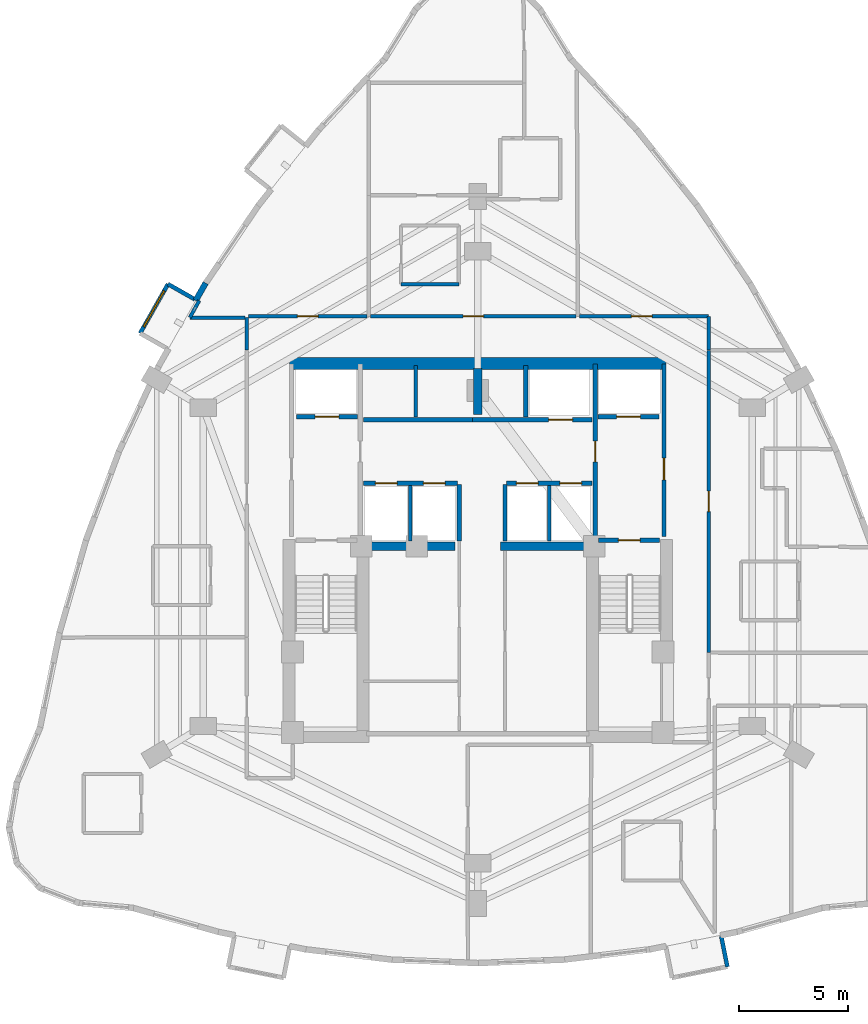
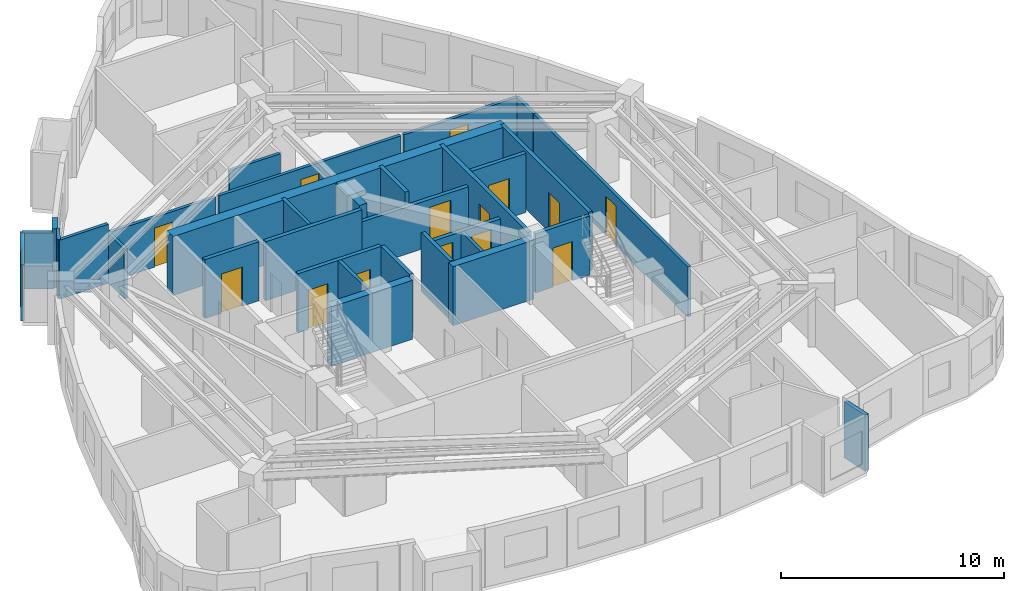
# One storey, part 8 of 12: 32 walls, 14 doors, 1 window, 15 openings.
"""IFC4 building model written with IfcOpenShell, lengths in metres."""

from ifc_helpers import new_model, si_unit, direction, frame, frame_2d, origin, place, context, subcontext, project, spatial, rectangle, extrude, material, layer, layer_set, type_object, element, fill, save


model = new_model("IFC4")

# Units and contexts
model_context = context("Model", 3, precision=1e-05, world=origin(), true_north=direction((0.0, 1.0)))
body_context = subcontext(model_context, "Body", "Model", "MODEL_VIEW")
ifc_project = project(units=[si_unit("LENGTHUNIT", "METRE"), si_unit("AREAUNIT", "SQUARE_METRE"), si_unit("VOLUMEUNIT", "CUBIC_METRE"), si_unit("PLANEANGLEUNIT", "RADIAN"), si_unit("MASSUNIT", "GRAM", prefix="KILO")], contexts=[model_context])

# Site, building, storey
site_placement = place(None, origin())
site = spatial("IfcSite", under=ifc_project, at=site_placement, CompositionType="ELEMENT")
building_placement = place(site_placement, origin())
building = spatial("IfcBuilding", under=site, at=building_placement, Name="Miruveldt Soraemaru", CompositionType="ELEMENT")
storey_placement = place(building_placement, frame((0.0, 0.0, 145.89990234375)))
storey = spatial("IfcBuildingStorey", under=building, at=storey_placement, Name="L40", CompositionType="ELEMENT", Elevation=145.89990234375)

# Wall
ifc_material_1 = material(Name="White powder-coated aluminium EN AW-6060 T6", Category="aluminium")
ifc_layer_1 = layer(ifc_material_1, 0.18994140625, Name="White powder-coated aluminium EN AW-6060 T6", Category="aluminium")
ifc_layer_set_1 = layer_set([ifc_layer_1], Name="White powder-coated aluminium EN AW-6060 T6")
wall_type_1 = type_object("IfcWallType", Name="WALL-BAY-ALU190", PredefinedType="SOLIDWALL", material=ifc_layer_set_1)
wall_1_placement = place(storey_placement, frame((31.01953125, 55.3828125, 0.0), z_axis=(0.0, 0.0, 1.0), x_axis=(-0.869872713252, 0.493276253979, 0.0)))
element("IfcWall", 1, at=wall_1_placement, inside=storey, type_object=wall_type_1, Name="L40 Bay Window Side Cheek 1L", PredefinedType="SOLIDWALL", context=body_context, shape_type="SweptSolid", body=[
    extrude(rectangle(XDim=1.4248046875, YDim=0.18994140625, at=frame_2d((0.71240234375, 0.0))), origin(), (0.0, 0.0, 1.0), 3.085205078125),
])

# Wall, opening, window
wall_2_placement = place(storey_placement, frame((29.780029296875, 56.085693359375, 0.0), z_axis=(0.0, 0.0, 1.0), x_axis=(-0.493365555553, -0.869822067203, 0.0)))
wall_2 = element("IfcWall", 2, at=wall_2_placement, inside=storey, type_object=wall_type_1, Name="L40 Bay Window Front Frame 1", PredefinedType="SOLIDWALL", context=body_context, shape_type="SweptSolid", body=[
    extrude(rectangle(XDim=2.599853515625, YDim=0.18994140625, at=frame_2d((1.2998046875, 0.0))), origin(), (0.0, 0.0, 1.0), 3.085205078125),
])
opening_1_placement = place(wall_2_placement, frame((0.35009765625, 0.0, 0.550048828125)))
opening_1 = element("IfcOpeningElement", 3, at=opening_1_placement, cuts=wall_2, Name="Opening WN-6", PredefinedType="OPENING", context=body_context, shape_type="SweptSolid", body=[
    extrude(rectangle(XDim=1.89990234375, YDim=1.85009765625, at=frame_2d((0.949951171875, 0.925048828125))), frame((0.0, 0.10498046875, 0.0), z_axis=(0.0, -1.0, 0.0), x_axis=(1.0, 0.0, 0.0)), (0.0, 0.0, 1.0), 0.2099609375),
])
ifc_material_2 = material(Name="Triple low-e insulated glazing", Category="glass")
window_type = type_object("IfcWindowType", Name="WIN-BAYW-1900x1850", PartitioningType="SINGLE_PANEL", PredefinedType="WINDOW", material=ifc_material_2)
window_placement = place(opening_1_placement, origin())
window = element("IfcWindow", 4, at=window_placement, inside=storey, type_object=window_type, Name="L40 Projecting Bay Window 1", OverallHeight=1.85009765625, OverallWidth=1.89990234375, PartitioningType="SINGLE_PANEL", PredefinedType="WINDOW", context=body_context, shape_type="SweptSolid", body=[
    extrude(rectangle(XDim=1.89990234375, YDim=1.85009765625, at=frame_2d((0.949951171875, 0.925048828125))), frame((0.0, 0.030029296875, 0.0), z_axis=(0.0, -1.0, 0.0), x_axis=(1.0, 0.0, 0.0)), (0.0, 0.0, 1.0), 0.06005859375),
])
fill(opening_1, window)

# Walls
wall_3_placement = place(storey_placement, frame((55.4609375, 24.743408203125, 0.0), z_axis=(0.0, 0.0, 1.0), x_axis=(-0.196182033934, 0.980567493629, 0.0)))
element("IfcWall", 5, at=wall_3_placement, inside=storey, type_object=wall_type_1, Name="L40 Bay Window Side Cheek 3R", PredefinedType="SOLIDWALL", context=body_context, shape_type="SweptSolid", body=[
    extrude(rectangle(XDim=1.4248046875, YDim=0.18994140625, at=frame_2d((0.71240234375, 0.0))), origin(), (0.0, 0.0, 1.0), 3.085205078125),
])
ifc_material_3 = material(Name="Concrete C70/85 (70 MPa)", Category="concrete")
ifc_layer_2 = layer(ifc_material_3, 0.5, Name="Concrete C70/85 (70 MPa)", Category="concrete")
ifc_layer_set_2 = layer_set([ifc_layer_2], Name="Concrete C70/85 (70 MPa)")
wall_type_2 = type_object("IfcWallType", Name="WALL-BW-500", PredefinedType="SHEAR", material=ifc_layer_set_2)
wall_4_placement = place(storey_placement, frame((44.0, 50.10009765625, 0.0), z_axis=(0.0, 0.0, 1.0), x_axis=(0.0, 1.0, 0.0)))
element("IfcWall", 6, at=wall_4_placement, inside=storey, type_object=wall_type_2, Name="L40 Core Buttress Shear Wall BN", PredefinedType="SHEAR", context=body_context, shape_type="SweptSolid", body=[
    extrude(rectangle(XDim=2.099853515625, YDim=0.39990234375, at=frame_2d((1.0498046875, 0.0))), origin(), (0.0, 0.0, 1.0), 3.235107421875),
])
for number, where, z_axis, x_axis, name in (
    (7, (38.75, 44.050048828125, 0.0), (0.0, 0.0, 1.0), (1.0, 0.0, 0.0), "L40 Core Buttress Shear Wall BW"),
    (8, (45.050048828125, 44.050048828125, 0.0), (0.0, 0.0, 1.0), (1.0, 0.0, 0.0), "L40 Core Buttress Shear Wall BE"),
):
    element("IfcWall", number, at=place(storey_placement, frame(where, z_axis=z_axis, x_axis=x_axis)), inside=storey, type_object=wall_type_2, Name=name, PredefinedType="SHEAR", context=body_context, shape_type="SweptSolid", body=[
        extrude(rectangle(XDim=4.199951171875, YDim=0.39990234375, at=frame_2d((2.10009765625, 0.0))), origin(), (0.0, 0.0, 1.0), 3.235107421875),
    ])
ifc_layer_3 = layer(ifc_material_3, 0.550048828125, Name="Concrete C70/85 (70 MPa)", Category="concrete")
ifc_layer_set_3 = layer_set([ifc_layer_3], Name="Concrete C70/85 (70 MPa)")
wall_type_3 = type_object("IfcWallType", Name="WALL-CW-550", PredefinedType="SHEAR", material=ifc_layer_set_3)
wall_5_placement = place(storey_placement, frame((35.35009765625, 52.449951171875, 0.0), z_axis=(0.0, 0.0, 1.0), x_axis=(1.0, 0.0, 0.0)))
element("IfcWall", 9, at=wall_5_placement, inside=storey, type_object=wall_type_3, Name="L40 Central Core Shear Wall N", PredefinedType="SHEAR", context=body_context, shape_type="SweptSolid", body=[
    extrude(rectangle(XDim=17.2998046875, YDim=0.550048828125, at=frame_2d((8.64990234375, 0.0))), origin(), (0.0, 0.0, 1.0), 3.235107421875),
])
ifc_material_4 = material(Name="Precast concrete C45/55 (45 MPa)", Category="concrete")
ifc_layer_4 = layer(ifc_material_4, 0.27001953125, Name="Precast concrete C45/55 (45 MPa)", Category="concrete")
ifc_layer_set_4 = layer_set([ifc_layer_4], Name="Precast concrete C45/55 (45 MPa)")
wall_type_4 = type_object("IfcWallType", Name="WALL-EXT-PC270", PredefinedType="SOLIDWALL", material=ifc_layer_set_4)
wall_6_placement = place(storey_placement, frame((31.509521484375, 56.135498046875, 0.0), z_axis=(0.0, 0.0, 1.0), x_axis=(-0.493298443783, -0.869860129769, 0.0)))
element("IfcWall", 10, at=wall_6_placement, inside=storey, type_object=wall_type_4, Name="L40 Precast Pier Wall 10A", PredefinedType="SOLIDWALL", context=body_context, shape_type="SweptSolid", body=[
    extrude(rectangle(XDim=0.926513671875, YDim=0.27001953125, at=frame_2d((0.46337890625, 0.0))), origin(), (0.0, 0.0, 1.0), 3.235107421875),
])
ifc_material_5 = material(Name="Gypsum plasterboard lining", Category="gypsum")
ifc_layer_5 = layer(ifc_material_5, 0.14990234375, Name="Gypsum plasterboard lining", Category="gypsum")
ifc_layer_set_5 = layer_set([ifc_layer_5], Name="Gypsum plasterboard lining")
wall_type_5 = type_object("IfcWallType", Name="WALL-INT-PLUMB", PredefinedType="PLUMBINGWALL", material=ifc_layer_set_5)
wall_7_placement = place(storey_placement, frame((40.48095703125, 56.080078125, 0.0), z_axis=(0.0, 0.0, 1.0), x_axis=(1.0, 0.0, 0.0)))
element("IfcWall", 11, at=wall_7_placement, inside=storey, type_object=wall_type_5, Name="L40 Partition Wall 19", PredefinedType="PLUMBINGWALL", context=body_context, shape_type="SweptSolid", body=[
    extrude(rectangle(XDim=2.650146484375, YDim=0.14990234375, at=frame_2d((1.3251953125, 0.0))), origin(), (0.0, 0.0, 1.0), 2.735107421875),
])

# Wall, opening, door
ifc_material_6 = material(Name="Concrete C40/50 (40 MPa)", Category="concrete")
ifc_layer_6 = layer(ifc_material_6, 0.159912109375, Name="Concrete C40/50 (40 MPa)", Category="concrete")
ifc_layer_set_6 = layer_set([ifc_layer_6], Name="Concrete C40/50 (40 MPa)")
wall_type_6 = type_object("IfcWallType", Name="WALL-INT-RC160", PredefinedType="SOLIDWALL", material=ifc_layer_set_6)
wall_8_placement = place(storey_placement, frame((54.60009765625, 39.178955078125, 0.0), z_axis=(0.0, 0.0, 1.0), x_axis=(0.0, 1.0, 0.0)))
wall_8 = element("IfcWall", 12, at=wall_8_placement, inside=storey, type_object=wall_type_6, Name="L40 Partition Wall 12", PredefinedType="SOLIDWALL", context=body_context, shape_type="SweptSolid", body=[
    extrude(rectangle(XDim=13.866943359375, YDim=0.159912109375, at=frame_2d((6.93359375, 0.0))), origin(), (0.0, 0.0, 1.0), 2.735107421875),
])
opening_2_placement = place(wall_8_placement, frame((6.4580078125, 0.0, 0.0)))
opening_2 = element("IfcOpeningElement", 13, at=opening_2_placement, cuts=wall_8, Name="Opening FD2", PredefinedType="OPENING", context=body_context, shape_type="SweptSolid", body=[
    extrude(rectangle(XDim=0.949951171875, YDim=2.14990234375, at=frame_2d((0.47509765625, 1.074951171875))), frame((0.0, 0.08984375, 0.0), z_axis=(0.0, -1.0, 0.0), x_axis=(1.0, 0.0, 0.0)), (0.0, 0.0, 1.0), 0.179931640625),
])
ifc_material_7 = material(Name="Anodised aluminium EN AW-6063 T6", Category="aluminium")
door_type_1 = type_object("IfcDoorType", Name="DOOR-FD2-950", OperationType="NOTDEFINED", PredefinedType="DOOR", material=ifc_material_7)
door_1_placement = place(opening_2_placement, origin())
door_1 = element("IfcDoor", 14, at=door_1_placement, inside=storey, type_object=door_type_1, Name="L40 Unit 4007 Entrance Fire Door", OperationType="SINGLE_SWING_LEFT", OverallHeight=2.14990234375, OverallWidth=0.949951171875, PredefinedType="DOOR", context=body_context, shape_type="SweptSolid", body=[
    extrude(rectangle(XDim=0.949951171875, YDim=2.14990234375, at=frame_2d((0.47509765625, 1.074951171875))), frame((0.0, 0.02490234375, 0.0), z_axis=(0.0, -1.0, 0.0), x_axis=(1.0, 0.0, 0.0)), (0.0, 0.0, 1.0), 0.050048828125),
])
fill(opening_2, door_1)

wall_9_placement = place(storey_placement, frame((48.513916015625, 54.60009765625, 0.0), z_axis=(0.0, 0.0, 1.0), x_axis=(-1.0, 0.0, 0.0)))
wall_9 = element("IfcWall", 15, at=wall_9_placement, inside=storey, type_object=wall_type_6, Name="L40 Partition Wall 2", PredefinedType="SOLIDWALL", context=body_context, shape_type="SweptSolid", body=[
    extrude(rectangle(XDim=9.430908203125, YDim=0.159912109375, at=frame_2d((4.71533203125, 0.0))), origin(), (0.0, 0.0, 1.0), 2.735107421875),
])
opening_3_placement = place(wall_9_placement, frame((4.240966796875, 0.0, 0.0)))
opening_3 = element("IfcOpeningElement", 16, at=opening_3_placement, cuts=wall_9, Name="Opening FD2", PredefinedType="OPENING", context=body_context, shape_type="SweptSolid", body=[
    extrude(rectangle(XDim=0.949951171875, YDim=2.14990234375, at=frame_2d((0.47509765625, 1.074951171875))), frame((0.0, 0.08984375, 0.0), z_axis=(0.0, -1.0, 0.0), x_axis=(1.0, 0.0, 0.0)), (0.0, 0.0, 1.0), 0.179931640625),
])
door_2_placement = place(opening_3_placement, origin())
door_2 = element("IfcDoor", 17, at=door_2_placement, inside=storey, type_object=door_type_1, Name="L40 Unit 4002 Entrance Fire Door", OperationType="SINGLE_SWING_LEFT", OverallHeight=2.14990234375, OverallWidth=0.949951171875, PredefinedType="DOOR", context=body_context, shape_type="SweptSolid", body=[
    extrude(rectangle(XDim=0.949951171875, YDim=2.14990234375, at=frame_2d((0.47509765625, 1.074951171875))), frame((0.0, 0.02490234375, 0.0), z_axis=(0.0, -1.0, 0.0), x_axis=(1.0, 0.0, 0.0)), (0.0, 0.0, 1.0), 0.050048828125),
])
fill(opening_3, door_2)

wall_10_placement = place(storey_placement, frame((54.60009765625, 54.60009765625, 0.0), z_axis=(0.0, 0.0, 1.0), x_axis=(-1.0, 0.0, 0.0)))
wall_10 = element("IfcWall", 18, at=wall_10_placement, inside=storey, type_object=wall_type_6, Name="L40 Partition Wall 4", PredefinedType="SOLIDWALL", context=body_context, shape_type="SweptSolid", body=[
    extrude(rectangle(XDim=5.926025390625, YDim=0.159912109375, at=frame_2d((2.962890625, 0.0))), origin(), (0.0, 0.0, 1.0), 2.72314453125),
])
opening_4_placement = place(wall_10_placement, frame((2.597900390625, 0.0, 0.0)))
opening_4 = element("IfcOpeningElement", 19, at=opening_4_placement, cuts=wall_10, Name="Opening FD2", PredefinedType="OPENING", context=body_context, shape_type="SweptSolid", body=[
    extrude(rectangle(XDim=0.949951171875, YDim=2.14990234375, at=frame_2d((0.47509765625, 1.074951171875))), frame((0.0, 0.08984375, 0.0), z_axis=(0.0, -1.0, 0.0), x_axis=(1.0, 0.0, 0.0)), (0.0, 0.0, 1.0), 0.179931640625),
])
door_3_placement = place(opening_4_placement, origin())
door_3 = element("IfcDoor", 20, at=door_3_placement, inside=storey, type_object=door_type_1, Name="L40 Unit CL03 Entrance Fire Door", OperationType="SINGLE_SWING_RIGHT", OverallHeight=2.14990234375, OverallWidth=0.949951171875, PredefinedType="DOOR", context=body_context, shape_type="SweptSolid", body=[
    extrude(rectangle(XDim=0.949951171875, YDim=2.14990234375, at=frame_2d((0.47509765625, 1.074951171875))), frame((0.0, 0.02490234375, 0.0), z_axis=(0.0, -1.0, 0.0), x_axis=(1.0, 0.0, 0.0)), (0.0, 0.0, 1.0), 0.050048828125),
])
fill(opening_4, door_3)

wall_11_placement = place(storey_placement, frame((38.919921875, 54.60009765625, 0.0), z_axis=(0.0, 0.0, 1.0), x_axis=(-1.0, 0.0, 0.0)))
wall_11 = element("IfcWall", 21, at=wall_11_placement, inside=storey, type_object=wall_type_6, Name="L40 Partition Wall 1", PredefinedType="SOLIDWALL", context=body_context, shape_type="SweptSolid", body=[
    extrude(rectangle(XDim=5.43994140625, YDim=0.159912109375, at=frame_2d((2.719970703125, 0.0))), origin(), (0.0, 0.0, 1.0), 2.72314453125),
])
opening_5_placement = place(wall_11_placement, frame((2.2451171875, 0.0, 0.0)))
opening_5 = element("IfcOpeningElement", 22, at=opening_5_placement, cuts=wall_11, Name="Opening FD2", PredefinedType="OPENING", context=body_context, shape_type="SweptSolid", body=[
    extrude(rectangle(XDim=0.949951171875, YDim=2.14990234375, at=frame_2d((0.47509765625, 1.074951171875))), frame((0.0, 0.08984375, 0.0), z_axis=(0.0, -1.0, 0.0), x_axis=(1.0, 0.0, 0.0)), (0.0, 0.0, 1.0), 0.179931640625),
])
door_4_placement = place(opening_5_placement, origin())
door_4 = element("IfcDoor", 23, at=door_4_placement, inside=storey, type_object=door_type_1, Name="L40 Unit CL01 Entrance Fire Door", OperationType="SINGLE_SWING_RIGHT", OverallHeight=2.14990234375, OverallWidth=0.949951171875, PredefinedType="DOOR", context=body_context, shape_type="SweptSolid", body=[
    extrude(rectangle(XDim=0.949951171875, YDim=2.14990234375, at=frame_2d((0.47509765625, 1.074951171875))), frame((0.0, 0.02490234375, 0.0), z_axis=(0.0, -1.0, 0.0), x_axis=(1.0, 0.0, 0.0)), (0.0, 0.0, 1.0), 0.050048828125),
])
fill(opening_5, door_4)

# Walls
wall_12_placement = place(storey_placement, frame((40.89990234375, 44.300048828125, 0.0), z_axis=(0.0, 0.0, 1.0), x_axis=(0.0, 1.0, 0.0)))
element("IfcWall", 24, at=wall_12_placement, inside=storey, type_object=wall_type_6, Name="L40 Core Compartment Wall PLM-DW", PredefinedType="SOLIDWALL", context=body_context, shape_type="SweptSolid", body=[
    extrude(rectangle(XDim=2.550048828125, YDim=0.159912109375, at=frame_2d((1.27490234375, 0.0))), origin(), (0.0, 0.0, 1.0), 3.235107421875),
])
wall_13_placement = place(storey_placement, frame((47.280029296875, 44.300048828125, 0.0), z_axis=(0.0, 0.0, 1.0), x_axis=(0.0, 1.0, 0.0)))
element("IfcWall", 25, at=wall_13_placement, inside=storey, type_object=wall_type_6, Name="L40 Core Compartment Wall PLM-DE", PredefinedType="SOLIDWALL", context=body_context, shape_type="SweptSolid", body=[
    extrude(rectangle(XDim=2.550048828125, YDim=0.159912109375, at=frame_2d((1.27490234375, 0.0))), origin(), (0.0, 0.0, 1.0), 2.572998046875),
])
wall_14_placement = place(storey_placement, frame((30.782958984375, 54.550048828125, 0.0), z_axis=(0.0, 0.0, 1.0), x_axis=(1.0, 0.0, 0.0)))
element("IfcWall", 26, at=wall_14_placement, inside=storey, type_object=wall_type_6, Name="L40 Partition Wall 15", PredefinedType="SOLIDWALL", context=body_context, shape_type="SweptSolid", body=[
    extrude(rectangle(XDim=2.533935546875, YDim=0.159912109375, at=frame_2d((1.26708984375, 0.0))), origin(), (0.0, 0.0, 1.0), 3.235107421875),
])
wall_15_placement = place(storey_placement, frame((41.14990234375, 49.97998046875, 0.0), z_axis=(0.0, 0.0, 1.0), x_axis=(0.0, 1.0, 0.0)))
element("IfcWall", 27, at=wall_15_placement, inside=storey, type_object=wall_type_6, Name="L40 Core Compartment Wall PLH-DIV1", PredefinedType="SOLIDWALL", context=body_context, shape_type="SweptSolid", body=[
    extrude(rectangle(XDim=2.3701171875, YDim=0.159912109375, at=frame_2d((1.18505859375, 0.0))), origin(), (0.0, 0.0, 1.0), 3.235107421875),
])
wall_16_placement = place(storey_placement, frame((54.60009765625, 53.052978515625, 0.0), z_axis=(0.0, 0.0, 1.0), x_axis=(0.0, 1.0, 0.0)))
element("IfcWall", 28, at=wall_16_placement, inside=storey, type_object=wall_type_6, Name="L40 Partition Wall 3", PredefinedType="SOLIDWALL", context=body_context, shape_type="SweptSolid", body=[
    extrude(rectangle(XDim=1.547119140625, YDim=0.159912109375, at=frame_2d((0.7734375, 0.0))), origin(), (0.0, 0.0, 1.0), 2.72314453125),
])
wall_17_placement = place(storey_placement, frame((33.39990234375, 54.547119140625, 0.0), z_axis=(0.0, 0.0, 1.0), x_axis=(0.0, -1.0, 0.0)))
element("IfcWall", 29, at=wall_17_placement, inside=storey, type_object=wall_type_6, Name="L40 Partition Wall 8", PredefinedType="SOLIDWALL", context=body_context, shape_type="SweptSolid", body=[
    extrude(rectangle(XDim=1.4970703125, YDim=0.159912109375, at=frame_2d((0.74853515625, 0.0))), origin(), (0.0, 0.0, 1.0), 2.72314453125),
])
wall_18_placement = place(storey_placement, frame((30.782958984375, 54.550048828125, 0.0), z_axis=(0.0, 0.0, 1.0), x_axis=(0.486340687566, 0.873769269097, 0.0)))
element("IfcWall", 30, at=wall_18_placement, inside=storey, type_object=wall_type_6, Name="L40 Partition Closure Return 2", PredefinedType="SOLIDWALL", context=body_context, shape_type="SweptSolid", body=[
    extrude(rectangle(XDim=0.89111328125, YDim=0.159912109375, at=frame_2d((0.445556640625, 0.0))), origin(), (0.0, 0.0, 1.0), 3.235107421875),
])

# Wall, opening, door
ifc_layer_7 = layer(ifc_material_6, 0.199951171875, Name="Concrete C40/50 (40 MPa)", Category="concrete")
ifc_layer_set_7 = layer_set([ifc_layer_7], Name="Concrete C40/50 (40 MPa)")
wall_type_7 = type_object("IfcWallType", Name="WALL-INT-RC200", PredefinedType="SOLIDWALL", material=ifc_layer_set_7)
wall_19_placement = place(storey_placement, frame((52.550048828125, 44.5, 0.0), z_axis=(0.0, 0.0, 1.0), x_axis=(0.0, 1.0, 0.0)))
wall_19 = element("IfcWall", 31, at=wall_19_placement, inside=storey, type_object=wall_type_7, Name="L40 Core Compartment Wall FFE-OUT", PredefinedType="SOLIDWALL", context=body_context, shape_type="SweptSolid", body=[
    extrude(rectangle(XDim=7.919921875, YDim=0.199951171875, at=frame_2d((3.9599609375, 0.0))), origin(), (0.0, 0.0, 1.0), 3.235107421875),
])
opening_6_placement = place(wall_19_placement, frame((2.60009765625, 0.0, 0.0)))
opening_6 = element("IfcOpeningElement", 32, at=opening_6_placement, cuts=wall_19, Name="Opening FD1", PredefinedType="OPENING", context=body_context, shape_type="SweptSolid", body=[
    extrude(rectangle(XDim=1.0, YDim=2.14990234375, at=frame_2d((0.5, 1.074951171875))), frame((0.0, 0.10986328125, 0.0), z_axis=(0.0, -1.0, 0.0), x_axis=(1.0, 0.0, 0.0)), (0.0, 0.0, 1.0), 0.219970703125),
])
door_type_2 = type_object("IfcDoorType", Name="DOOR-FD1-1000", OperationType="NOTDEFINED", PredefinedType="DOOR", material=ifc_material_7)
door_5_placement = place(opening_6_placement, frame((1.0, 0.0, 0.0), z_axis=(0.0, 0.0, 1.0), x_axis=(-1.0, 0.0, 0.0)))
door_5 = element("IfcDoor", 33, at=door_5_placement, inside=storey, type_object=door_type_2, Name="L40 East Firefighting Lobby Exit Door", OperationType="SINGLE_SWING_RIGHT", OverallHeight=2.14990234375, OverallWidth=1.0, PredefinedType="DOOR", context=body_context, shape_type="SweptSolid", body=[
    extrude(rectangle(XDim=1.0, YDim=2.14990234375, at=frame_2d((0.5, 1.074951171875))), frame((0.0, 0.02490234375, 0.0), z_axis=(0.0, -1.0, 0.0), x_axis=(1.0, 0.0, 0.0)), (0.0, 0.0, 1.0), 0.050048828125),
])
fill(opening_6, door_5)

wall_20_placement = place(storey_placement, frame((49.39990234375, 44.5, 0.0), z_axis=(0.0, 0.0, 1.0), x_axis=(0.0, 1.0, 0.0)))
wall_20 = element("IfcWall", 34, at=wall_20_placement, inside=storey, type_object=wall_type_7, Name="L40 Core Compartment Wall FFE-IN", PredefinedType="SOLIDWALL", context=body_context, shape_type="SweptSolid", body=[
    extrude(rectangle(XDim=7.919921875, YDim=0.199951171875, at=frame_2d((3.9599609375, 0.0))), origin(), (0.0, 0.0, 1.0), 3.235107421875),
])
opening_7_placement = place(wall_20_placement, frame((3.425048828125, 0.0, 0.0)))
opening_7 = element("IfcOpeningElement", 35, at=opening_7_placement, cuts=wall_20, Name="Opening FD2", PredefinedType="OPENING", context=body_context, shape_type="SweptSolid", body=[
    extrude(rectangle(XDim=0.949951171875, YDim=2.14990234375, at=frame_2d((0.47509765625, 1.074951171875))), frame((0.0, 0.10986328125, 0.0), z_axis=(0.0, -1.0, 0.0), x_axis=(1.0, 0.0, 0.0)), (0.0, 0.0, 1.0), 0.219970703125),
])
door_6_placement = place(opening_7_placement, origin())
door_6 = element("IfcDoor", 36, at=door_6_placement, inside=storey, type_object=door_type_1, Name="L40 Lift Lobby to East Fire Lobby Door", OperationType="SINGLE_SWING_LEFT", OverallHeight=2.14990234375, OverallWidth=0.949951171875, PredefinedType="DOOR", context=body_context, shape_type="SweptSolid", body=[
    extrude(rectangle(XDim=0.949951171875, YDim=2.14990234375, at=frame_2d((0.47509765625, 1.074951171875))), frame((0.0, 0.02490234375, 0.0), z_axis=(0.0, -1.0, 0.0), x_axis=(1.0, 0.0, 0.0)), (0.0, 0.0, 1.0), 0.050048828125),
])
fill(opening_7, door_6)

wall_21_placement = place(storey_placement, frame((43.75, 49.85009765625, 0.0), z_axis=(0.0, 0.0, 1.0), x_axis=(1.0, 0.0, 0.0)))
wall_21 = element("IfcWall", 37, at=wall_21_placement, inside=storey, type_object=wall_type_7, Name="L40 Core Compartment Wall ROWA-SE", PredefinedType="SOLIDWALL", context=body_context, shape_type="SweptSolid", body=[
    extrude(rectangle(XDim=5.5, YDim=0.199951171875, at=frame_2d((2.75, 0.0))), origin(), (0.0, 0.0, 1.0), 2.572998046875),
])
opening_8_placement = place(wall_21_placement, frame((3.5, 0.0, 0.0)))
opening_8 = element("IfcOpeningElement", 38, at=opening_8_placement, cuts=wall_21, Name="Opening LD2", PredefinedType="OPENING", context=body_context, shape_type="SweptSolid", body=[
    extrude(rectangle(XDim=1.10009765625, YDim=2.14990234375, at=frame_2d((0.550048828125, 1.074951171875))), frame((0.0, 0.10986328125, 0.0), z_axis=(0.0, -1.0, 0.0), x_axis=(1.0, 0.0, 0.0)), (0.0, 0.0, 1.0), 0.219970703125),
])
door_type_3 = type_object("IfcDoorType", Name="DOOR-LD2-1100", OperationType="SLIDING_TO_LEFT", PredefinedType="DOOR", material=ifc_material_7)
door_7_placement = place(opening_8_placement, origin())
door_7 = element("IfcDoor", 39, at=door_7_placement, inside=storey, type_object=door_type_3, Name="L40 SL-1 Landing Door", OperationType="SLIDING_TO_LEFT", OverallHeight=2.14990234375, OverallWidth=1.10009765625, PredefinedType="DOOR", context=body_context, shape_type="SweptSolid", body=[
    extrude(rectangle(XDim=1.10009765625, YDim=2.14990234375, at=frame_2d((0.550048828125, 1.074951171875))), frame((0.0, 0.02490234375, 0.0), z_axis=(0.0, -1.0, 0.0), x_axis=(1.0, 0.0, 0.0)), (0.0, 0.0, 1.0), 0.050048828125),
])
fill(opening_8, door_7)

# Wall, openings, doors
wall_22_placement = place(storey_placement, frame((38.75, 46.949951171875, 0.0), z_axis=(0.0, 0.0, 1.0), x_axis=(1.0, 0.0, 0.0)))
wall_22 = element("IfcWall", 40, at=wall_22_placement, inside=storey, type_object=wall_type_7, Name="L40 Core Compartment Wall MBW-N", PredefinedType="SOLIDWALL", context=body_context, shape_type="SweptSolid", body=[
    extrude(rectangle(XDim=4.330078125, YDim=0.199951171875, at=frame_2d((2.1650390625, 0.0))), origin(), (0.0, 0.0, 1.0), 3.235107421875),
])
opening_9_placement = place(wall_22_placement, frame((0.550048828125, 0.0, 0.0)))
opening_9 = element("IfcOpeningElement", 41, at=opening_9_placement, cuts=wall_22, Name="Opening LD1B", PredefinedType="OPENING", context=body_context, shape_type="SweptSolid", body=[
    extrude(rectangle(XDim=1.0, YDim=2.14990234375, at=frame_2d((0.5, 1.074951171875))), frame((0.0, 0.10986328125, 0.0), z_axis=(0.0, -1.0, 0.0), x_axis=(1.0, 0.0, 0.0)), (0.0, 0.0, 1.0), 0.219970703125),
])
opening_10_placement = place(wall_22_placement, frame((2.75, 0.0, 0.0)))
opening_10 = element("IfcOpeningElement", 42, at=opening_10_placement, cuts=wall_22, Name="Opening LD1B", PredefinedType="OPENING", context=body_context, shape_type="SweptSolid", body=[
    extrude(rectangle(XDim=1.0, YDim=2.14990234375, at=frame_2d((0.5, 1.074951171875))), frame((0.0, 0.10986328125, 0.0), z_axis=(0.0, -1.0, 0.0), x_axis=(1.0, 0.0, 0.0)), (0.0, 0.0, 1.0), 0.219970703125),
])
door_type_4 = type_object("IfcDoorType", Name="DOOR-LD1-1000", OperationType="SLIDING_TO_LEFT", PredefinedType="DOOR", material=ifc_material_7)
door_8_placement = place(opening_9_placement, origin())
door_8 = element("IfcDoor", 43, at=door_8_placement, inside=storey, type_object=door_type_4, Name="L40 PL-M1 Landing Door", OperationType="SLIDING_TO_LEFT", OverallHeight=2.14990234375, OverallWidth=1.0, PredefinedType="DOOR", context=body_context, shape_type="SweptSolid", body=[
    extrude(rectangle(XDim=1.0, YDim=2.14990234375, at=frame_2d((0.5, 1.074951171875))), frame((0.0, 0.02490234375, 0.0), z_axis=(0.0, -1.0, 0.0), x_axis=(1.0, 0.0, 0.0)), (0.0, 0.0, 1.0), 0.050048828125),
])
fill(opening_9, door_8)
door_9_placement = place(opening_10_placement, origin())
door_9 = element("IfcDoor", 44, at=door_9_placement, inside=storey, type_object=door_type_4, Name="L40 PL-M2 Landing Door", OperationType="SLIDING_TO_LEFT", OverallHeight=2.14990234375, OverallWidth=1.0, PredefinedType="DOOR", context=body_context, shape_type="SweptSolid", body=[
    extrude(rectangle(XDim=1.0, YDim=2.14990234375, at=frame_2d((0.5, 1.074951171875))), frame((0.0, 0.02490234375, 0.0), z_axis=(0.0, -1.0, 0.0), x_axis=(1.0, 0.0, 0.0)), (0.0, 0.0, 1.0), 0.050048828125),
])
fill(opening_10, door_9)

wall_23_placement = place(storey_placement, frame((45.320068359375, 46.949951171875, 0.0), z_axis=(0.0, 0.0, 1.0), x_axis=(1.0, 0.0, 0.0)))
wall_23 = element("IfcWall", 45, at=wall_23_placement, inside=storey, type_object=wall_type_7, Name="L40 Core Compartment Wall MBE-N", PredefinedType="SOLIDWALL", context=body_context, shape_type="SweptSolid", body=[
    extrude(rectangle(XDim=3.929931640625, YDim=0.199951171875, at=frame_2d((1.96484375, 0.0))), origin(), (0.0, 0.0, 1.0), 2.572998046875),
])
opening_11_placement = place(wall_23_placement, frame((0.449951171875, 0.0, 0.0)))
opening_11 = element("IfcOpeningElement", 46, at=opening_11_placement, cuts=wall_23, Name="Opening LD1B", PredefinedType="OPENING", context=body_context, shape_type="SweptSolid", body=[
    extrude(rectangle(XDim=1.0, YDim=2.14990234375, at=frame_2d((0.5, 1.074951171875))), frame((0.0, 0.10986328125, 0.0), z_axis=(0.0, -1.0, 0.0), x_axis=(1.0, 0.0, 0.0)), (0.0, 0.0, 1.0), 0.219970703125),
])
opening_12_placement = place(wall_23_placement, frame((2.449951171875, 0.0, 0.0)))
opening_12 = element("IfcOpeningElement", 47, at=opening_12_placement, cuts=wall_23, Name="Opening LD1B", PredefinedType="OPENING", context=body_context, shape_type="SweptSolid", body=[
    extrude(rectangle(XDim=1.0, YDim=2.14990234375, at=frame_2d((0.5, 1.074951171875))), frame((0.0, 0.10986328125, 0.0), z_axis=(0.0, -1.0, 0.0), x_axis=(1.0, 0.0, 0.0)), (0.0, 0.0, 1.0), 0.219970703125),
])
door_10_placement = place(opening_11_placement, origin())
door_10 = element("IfcDoor", 48, at=door_10_placement, inside=storey, type_object=door_type_4, Name="L40 PL-M3 Landing Door", OperationType="SLIDING_TO_LEFT", OverallHeight=2.14990234375, OverallWidth=1.0, PredefinedType="DOOR", context=body_context, shape_type="SweptSolid", body=[
    extrude(rectangle(XDim=1.0, YDim=2.14990234375, at=frame_2d((0.5, 1.074951171875))), frame((0.0, 0.02490234375, 0.0), z_axis=(0.0, -1.0, 0.0), x_axis=(1.0, 0.0, 0.0)), (0.0, 0.0, 1.0), 0.050048828125),
])
fill(opening_11, door_10)
door_11_placement = place(opening_12_placement, origin())
door_11 = element("IfcDoor", 49, at=door_11_placement, inside=storey, type_object=door_type_4, Name="L40 PL-M4 Landing Door", OperationType="SLIDING_TO_LEFT", OverallHeight=2.14990234375, OverallWidth=1.0, PredefinedType="DOOR", context=body_context, shape_type="SweptSolid", body=[
    extrude(rectangle(XDim=1.0, YDim=2.14990234375, at=frame_2d((0.5, 1.074951171875))), frame((0.0, 0.02490234375, 0.0), z_axis=(0.0, -1.0, 0.0), x_axis=(1.0, 0.0, 0.0)), (0.0, 0.0, 1.0), 0.050048828125),
])
fill(opening_12, door_11)

# Wall, opening, door
wall_24_placement = place(storey_placement, frame((49.550048828125, 44.320068359375, 0.0), z_axis=(0.0, 0.0, 1.0), x_axis=(1.0, 0.0, 0.0)))
wall_24 = element("IfcWall", 50, at=wall_24_placement, inside=storey, type_object=wall_type_7, Name="L40 Core Compartment Wall ST2-N", PredefinedType="SOLIDWALL", context=body_context, shape_type="SweptSolid", body=[
    extrude(rectangle(XDim=2.800048828125, YDim=0.199951171875, at=frame_2d((1.39990234375, 0.0))), origin(), (0.0, 0.0, 1.0), 3.235107421875),
])
opening_13_placement = place(wall_24_placement, frame((0.89990234375, 0.0, 0.0)))
opening_13 = element("IfcOpeningElement", 51, at=opening_13_placement, cuts=wall_24, Name="Opening FD1", PredefinedType="OPENING", context=body_context, shape_type="SweptSolid", body=[
    extrude(rectangle(XDim=1.0, YDim=2.14990234375, at=frame_2d((0.5, 1.074951171875))), frame((0.0, 0.10986328125, 0.0), z_axis=(0.0, -1.0, 0.0), x_axis=(1.0, 0.0, 0.0)), (0.0, 0.0, 1.0), 0.219970703125),
])
door_12_placement = place(opening_13_placement, frame((1.0, 0.0, 0.0), z_axis=(0.0, 0.0, 1.0), x_axis=(-1.0, 0.0, 0.0)))
door_12 = element("IfcDoor", 52, at=door_12_placement, inside=storey, type_object=door_type_2, Name="L40 Stair ST-2 Fire Door", OperationType="SINGLE_SWING_RIGHT", OverallHeight=2.14990234375, OverallWidth=1.0, PredefinedType="DOOR", context=body_context, shape_type="SweptSolid", body=[
    extrude(rectangle(XDim=1.0, YDim=2.14990234375, at=frame_2d((0.5, 1.074951171875))), frame((0.0, 0.02490234375, 0.0), z_axis=(0.0, -1.0, 0.0), x_axis=(1.0, 0.0, 0.0)), (0.0, 0.0, 1.0), 0.050048828125),
])
fill(opening_13, door_12)

wall_25_placement = place(storey_placement, frame((35.679931640625, 50.0, 0.0), z_axis=(0.0, 0.0, 1.0), x_axis=(1.0, 0.0, 0.0)))
wall_25 = element("IfcWall", 53, at=wall_25_placement, inside=storey, type_object=wall_type_7, Name="L40 Core Compartment Wall FFL1-S", PredefinedType="SOLIDWALL", context=body_context, shape_type="SweptSolid", body=[
    extrude(rectangle(XDim=2.800048828125, YDim=0.199951171875, at=frame_2d((1.39990234375, 0.0))), origin(), (0.0, 0.0, 1.0), 3.235107421875),
])
opening_14_placement = place(wall_25_placement, frame((0.85009765625, 0.0, 0.0)))
opening_14 = element("IfcOpeningElement", 54, at=opening_14_placement, cuts=wall_25, Name="Opening LD2", PredefinedType="OPENING", context=body_context, shape_type="SweptSolid", body=[
    extrude(rectangle(XDim=1.10009765625, YDim=2.14990234375, at=frame_2d((0.550048828125, 1.074951171875))), frame((0.0, 0.10986328125, 0.0), z_axis=(0.0, -1.0, 0.0), x_axis=(1.0, 0.0, 0.0)), (0.0, 0.0, 1.0), 0.219970703125),
])
door_13_placement = place(opening_14_placement, origin())
door_13 = element("IfcDoor", 55, at=door_13_placement, inside=storey, type_object=door_type_3, Name="L40 FFL-1 Landing Door", OperationType="SLIDING_TO_LEFT", OverallHeight=2.14990234375, OverallWidth=1.10009765625, PredefinedType="DOOR", context=body_context, shape_type="SweptSolid", body=[
    extrude(rectangle(XDim=1.10009765625, YDim=2.14990234375, at=frame_2d((0.550048828125, 1.074951171875))), frame((0.0, 0.02490234375, 0.0), z_axis=(0.0, -1.0, 0.0), x_axis=(1.0, 0.0, 0.0)), (0.0, 0.0, 1.0), 0.050048828125),
])
fill(opening_14, door_13)

wall_26_placement = place(storey_placement, frame((49.52001953125, 50.0, 0.0), z_axis=(0.0, 0.0, 1.0), x_axis=(1.0, 0.0, 0.0)))
wall_26 = element("IfcWall", 56, at=wall_26_placement, inside=storey, type_object=wall_type_7, Name="L40 Core Compartment Wall FFL2-S", PredefinedType="SOLIDWALL", context=body_context, shape_type="SweptSolid", body=[
    extrude(rectangle(XDim=2.800048828125, YDim=0.199951171875, at=frame_2d((1.39990234375, 0.0))), origin(), (0.0, 0.0, 1.0), 3.235107421875),
])
opening_15_placement = place(wall_26_placement, frame((0.85009765625, 0.0, 0.0)))
opening_15 = element("IfcOpeningElement", 57, at=opening_15_placement, cuts=wall_26, Name="Opening LD2", PredefinedType="OPENING", context=body_context, shape_type="SweptSolid", body=[
    extrude(rectangle(XDim=1.10009765625, YDim=2.14990234375, at=frame_2d((0.550048828125, 1.074951171875))), frame((0.0, 0.10986328125, 0.0), z_axis=(0.0, -1.0, 0.0), x_axis=(1.0, 0.0, 0.0)), (0.0, 0.0, 1.0), 0.219970703125),
])
door_14_placement = place(opening_15_placement, origin())
door_14 = element("IfcDoor", 58, at=door_14_placement, inside=storey, type_object=door_type_3, Name="L40 FFL-2 Landing Door", OperationType="SLIDING_TO_LEFT", OverallHeight=2.14990234375, OverallWidth=1.10009765625, PredefinedType="DOOR", context=body_context, shape_type="SweptSolid", body=[
    extrude(rectangle(XDim=1.10009765625, YDim=2.14990234375, at=frame_2d((0.550048828125, 1.074951171875))), frame((0.0, 0.02490234375, 0.0), z_axis=(0.0, -1.0, 0.0), x_axis=(1.0, 0.0, 0.0)), (0.0, 0.0, 1.0), 0.050048828125),
])
fill(opening_15, door_14)

# Walls
wall_27_placement = place(storey_placement, frame((38.75, 49.85009765625, 0.0), z_axis=(0.0, 0.0, 1.0), x_axis=(1.0, 0.0, 0.0)))
element("IfcWall", 59, at=wall_27_placement, inside=storey, type_object=wall_type_7, Name="L40 Core Compartment Wall ROWA-SW", PredefinedType="SOLIDWALL", context=body_context, shape_type="SweptSolid", body=[
    extrude(rectangle(XDim=5.0, YDim=0.199951171875, at=frame_2d((2.5, 0.0))), origin(), (0.0, 0.0, 1.0), 3.235107421875),
])
for number, where, z_axis, x_axis, name in (
    (60, (43.14990234375, 44.300048828125, 0.0), (0.0, 0.0, 1.0), (0.0, 1.0, 0.0), "L40 Core Compartment Wall SP-WB"),
    (61, (45.25, 44.300048828125, 0.0), (0.0, 0.0, 1.0), (0.0, 1.0, 0.0), "L40 Core Compartment Wall SP-EB"),
):
    element("IfcWall", number, at=place(storey_placement, frame(where, z_axis=z_axis, x_axis=x_axis)), inside=storey, type_object=wall_type_7, Name=name, PredefinedType="SOLIDWALL", context=body_context, shape_type="SweptSolid", body=[
        extrude(rectangle(XDim=2.579833984375, YDim=0.199951171875, at=frame_2d((1.2900390625, 0.0))), origin(), (0.0, 0.0, 1.0), 3.235107421875),
    ])
wall_28_placement = place(storey_placement, frame((46.199951171875, 49.97998046875, 0.0), z_axis=(0.0, 0.0, 1.0), x_axis=(0.0, 1.0, 0.0)))
element("IfcWall", 62, at=wall_28_placement, inside=storey, type_object=wall_type_7, Name="L40 Core Compartment Wall PLH-SL-DIV", PredefinedType="SOLIDWALL", context=body_context, shape_type="SweptSolid", body=[
    extrude(rectangle(XDim=2.3701171875, YDim=0.199951171875, at=frame_2d((1.18505859375, 0.0))), origin(), (0.0, 0.0, 1.0), 3.235107421875),
])

save(model, "model.ifc")
